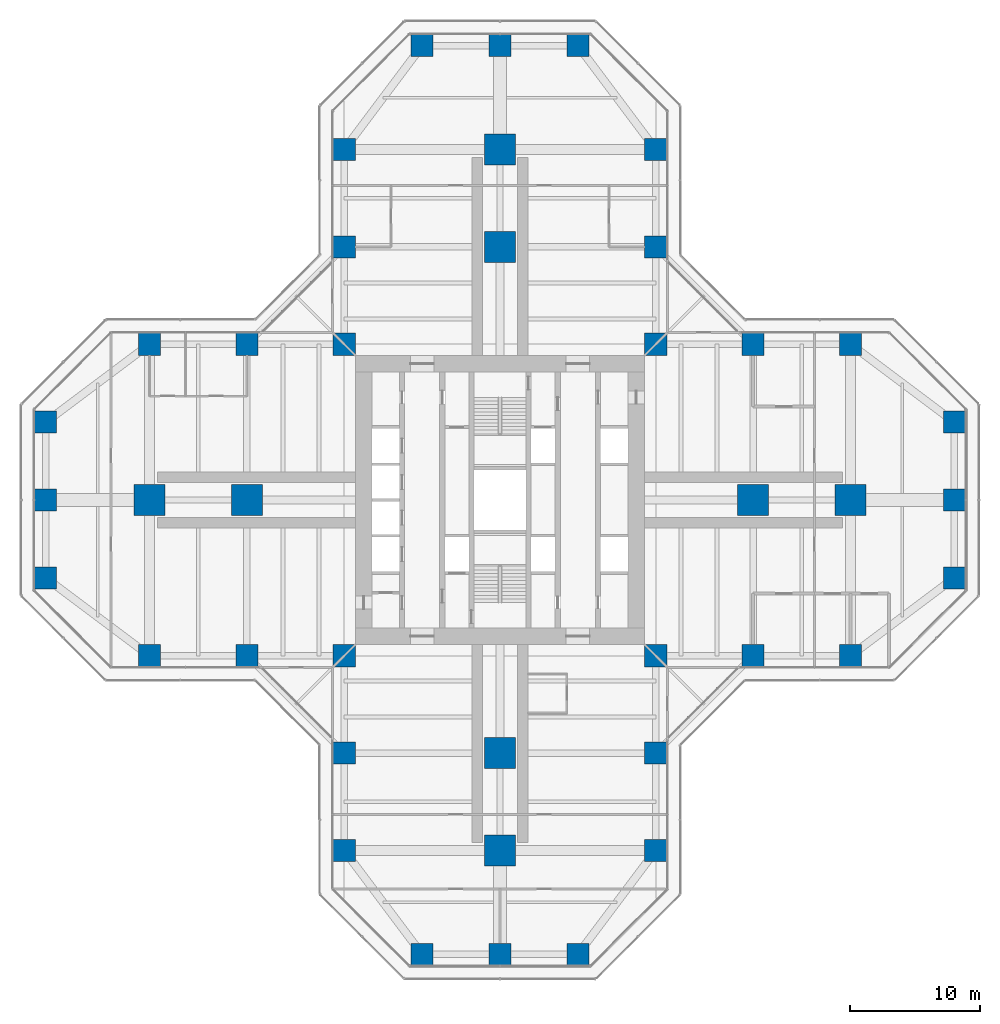
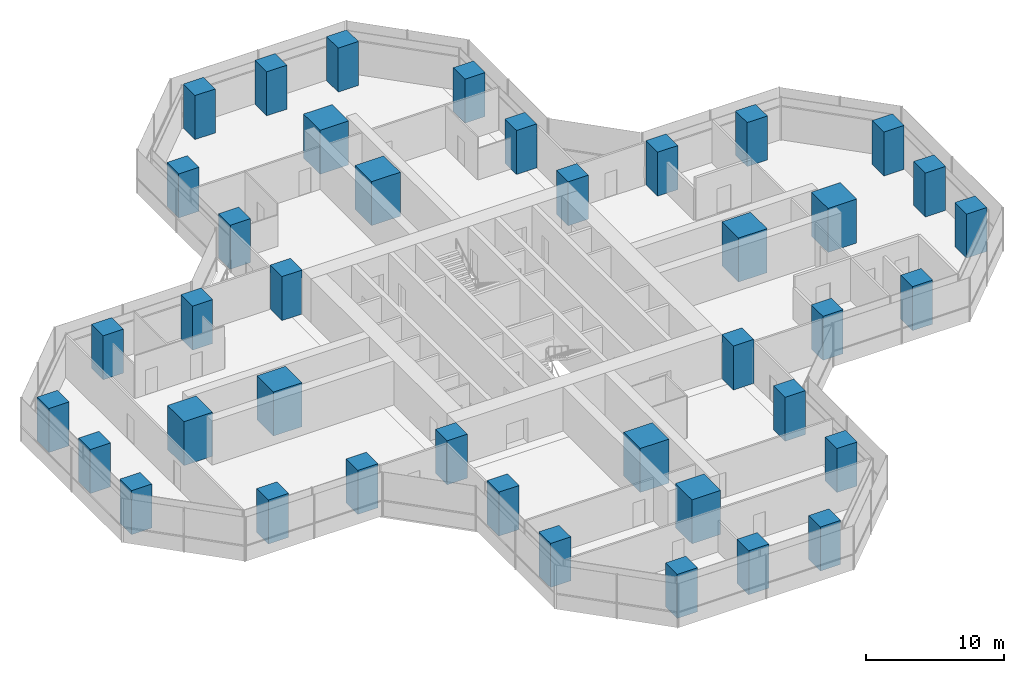
# One storey, part 1 of 22: 40 columns.
"""IFC4 building model written with IfcOpenShell, lengths in metres."""

from ifc_helpers import new_model, si_unit, direction, frame, origin, origin_2d, place, context, subcontext, project, spatial, rectangle, extrude, material, material_profile, profile_set, type_object, element, save


model = new_model("IFC4")

# Units and contexts
model_context = context("Model", 3, precision=1e-05, world=origin(), true_north=direction((0.0, 1.0)))
body_context = subcontext(model_context, "Body", "Model", "MODEL_VIEW")
ifc_project = project(units=[si_unit("LENGTHUNIT", "METRE"), si_unit("AREAUNIT", "SQUARE_METRE"), si_unit("VOLUMEUNIT", "CUBIC_METRE"), si_unit("PLANEANGLEUNIT", "RADIAN"), si_unit("MASSUNIT", "GRAM", prefix="KILO")], contexts=[model_context])

# Site, building, storey
site_placement = place(None, origin())
site = spatial("IfcSite", under=ifc_project, at=site_placement, CompositionType="ELEMENT")
building_placement = place(site_placement, origin())
building = spatial("IfcBuilding", under=site, at=building_placement, Name="Mizan Broadcast Tower", CompositionType="ELEMENT")
storey_placement = place(building_placement, frame((0.0, 0.0, 86.39990234375)))
storey = spatial("IfcBuildingStorey", under=building, at=storey_placement, Name="L18", CompositionType="ELEMENT", Elevation=86.39990234375)

# Columns
ifc_material_1 = material(Name="Concrete C70/85", Category="concrete")
ifc_material_profile_1 = material_profile(ifc_material_1, rectangle(XDim=1.699951171875, YDim=1.699951171875, at=origin_2d()), Name="RC 1700x1700")
ifc_profile_set_1 = profile_set([ifc_material_profile_1], Name="Concrete C70/85")
column_type_1 = type_object("IfcColumnType", Name="RC COLUMN 1700x1700 C70/85", PredefinedType="COLUMN", material=ifc_profile_set_1)
for number, where, z_axis, x_axis, name in (
    (1, (-6.0, -35.0, 0.0), (0.0, 0.0, 1.0), (1.0, 0.0, 0.0), "Column 5/A L18"),
    (2, (0.0, -35.0, 0.0), (0.0, 0.0, 1.0), (1.0, 0.0, 0.0), "Column 6/A L18"),
    (3, (6.0, -35.0, 0.0), (0.0, 0.0, 1.0), (1.0, 0.0, 0.0), "Column 7/A L18"),
    (4, (-12.0, -27.0, 0.0), (0.0, 0.0, 1.0), (1.0, 0.0, 0.0), "Column 4/B L18"),
    (5, (12.0, -27.0, 0.0), (0.0, 0.0, 1.0), (1.0, 0.0, 0.0), "Column 8/B L18"),
    (6, (-12.0, -19.5, 0.0), (0.0, 0.0, 1.0), (1.0, 0.0, 0.0), "Column 4/C L18"),
    (7, (12.0, -19.5, 0.0), (0.0, 0.0, 1.0), (1.0, 0.0, 0.0), "Column 8/C L18"),
    (8, (-27.0, -12.0, 0.0), (0.0, 0.0, 1.0), (1.0, 0.0, 0.0), "Column 2/D L18"),
    (9, (-19.5, -12.0, 0.0), (0.0, 0.0, 1.0), (1.0, 0.0, 0.0), "Column 3/D L18"),
    (10, (-12.0, -12.0, 0.0), (0.0, 0.0, 1.0), (1.0, 0.0, 0.0), "Column 4/D L18"),
    (11, (12.0, -12.0, 0.0), (0.0, 0.0, 1.0), (1.0, 0.0, 0.0), "Column 8/D L18"),
    (12, (19.5, -12.0, 0.0), (0.0, 0.0, 1.0), (1.0, 0.0, 0.0), "Column 9/D L18"),
    (13, (27.0, -12.0, 0.0), (0.0, 0.0, 1.0), (1.0, 0.0, 0.0), "Column 10/D L18"),
    (14, (-35.0, -6.0, 0.0), (0.0, 0.0, 1.0), (1.0, 0.0, 0.0), "Column 1/E L18"),
    (15, (35.0, -6.0, 0.0), (0.0, 0.0, 1.0), (1.0, 0.0, 0.0), "Column 11/E L18"),
    (16, (-35.0, 0.0, 0.0), (0.0, 0.0, 1.0), (1.0, 0.0, 0.0), "Column 1/F L18"),
    (17, (35.0, 0.0, 0.0), (0.0, 0.0, 1.0), (1.0, 0.0, 0.0), "Column 11/F L18"),
    (18, (-35.0, 6.0, 0.0), (0.0, 0.0, 1.0), (1.0, 0.0, 0.0), "Column 1/G L18"),
    (19, (35.0, 6.0, 0.0), (0.0, 0.0, 1.0), (1.0, 0.0, 0.0), "Column 11/G L18"),
    (20, (-27.0, 12.0, 0.0), (0.0, 0.0, 1.0), (1.0, 0.0, 0.0), "Column 2/H L18"),
    (21, (-19.5, 12.0, 0.0), (0.0, 0.0, 1.0), (1.0, 0.0, 0.0), "Column 3/H L18"),
    (22, (-12.0, 12.0, 0.0), (0.0, 0.0, 1.0), (1.0, 0.0, 0.0), "Column 4/H L18"),
    (23, (12.0, 12.0, 0.0), (0.0, 0.0, 1.0), (1.0, 0.0, 0.0), "Column 8/H L18"),
    (24, (19.5, 12.0, 0.0), (0.0, 0.0, 1.0), (1.0, 0.0, 0.0), "Column 9/H L18"),
    (25, (27.0, 12.0, 0.0), (0.0, 0.0, 1.0), (1.0, 0.0, 0.0), "Column 10/H L18"),
    (26, (-12.0, 19.5, 0.0), (0.0, 0.0, 1.0), (1.0, 0.0, 0.0), "Column 4/J L18"),
    (27, (12.0, 19.5, 0.0), (0.0, 0.0, 1.0), (1.0, 0.0, 0.0), "Column 8/J L18"),
    (28, (-12.0, 27.0, 0.0), (0.0, 0.0, 1.0), (1.0, 0.0, 0.0), "Column 4/K L18"),
    (29, (12.0, 27.0, 0.0), (0.0, 0.0, 1.0), (1.0, 0.0, 0.0), "Column 8/K L18"),
    (30, (-6.0, 35.0, 0.0), (0.0, 0.0, 1.0), (1.0, 0.0, 0.0), "Column 5/L L18"),
    (31, (0.0, 35.0, 0.0), (0.0, 0.0, 1.0), (1.0, 0.0, 0.0), "Column 6/L L18"),
    (32, (6.0, 35.0, 0.0), (0.0, 0.0, 1.0), (1.0, 0.0, 0.0), "Column 7/L L18"),
):
    element("IfcColumn", number, at=place(storey_placement, frame(where, z_axis=z_axis, x_axis=x_axis)), inside=storey, type_object=column_type_1, Name=name, PredefinedType="COLUMN", context=body_context, shape_type="SweptSolid", body=[
        extrude(rectangle(XDim=1.699951171875, YDim=1.699951171875, at=origin_2d()), origin(), (0.0, 0.0, 1.0), 3.900146484375),
    ])
ifc_material_2 = material(Name="Concrete C70/85", Category="concrete")
ifc_material_profile_2 = material_profile(ifc_material_2, rectangle(XDim=2.39990234375, YDim=2.39990234375, at=origin_2d()), Name="RC 2400x2400")
ifc_profile_set_2 = profile_set([ifc_material_profile_2], Name="Concrete C70/85")
column_type_2 = type_object("IfcColumnType", Name="RC COLUMN 2400x2400 C70/85", PredefinedType="COLUMN", material=ifc_profile_set_2)
for number, where, z_axis, x_axis, name in (
    (33, (0.0, -27.0, 0.0), (0.0, 0.0, 1.0), (1.0, 0.0, 0.0), "Column 6/B L18"),
    (34, (0.0, -19.5, 0.0), (0.0, 0.0, 1.0), (1.0, 0.0, 0.0), "Column 6/C L18"),
    (35, (-27.0, 0.0, 0.0), (0.0, 0.0, 1.0), (1.0, 0.0, 0.0), "Column 2/F L18"),
    (36, (-19.5, 0.0, 0.0), (0.0, 0.0, 1.0), (1.0, 0.0, 0.0), "Column 3/F L18"),
    (37, (19.5, 0.0, 0.0), (0.0, 0.0, 1.0), (1.0, 0.0, 0.0), "Column 9/F L18"),
    (38, (27.0, 0.0, 0.0), (0.0, 0.0, 1.0), (1.0, 0.0, 0.0), "Column 10/F L18"),
    (39, (0.0, 19.5, 0.0), (0.0, 0.0, 1.0), (1.0, 0.0, 0.0), "Column 6/J L18"),
    (40, (0.0, 27.0, 0.0), (0.0, 0.0, 1.0), (1.0, 0.0, 0.0), "Column 6/K L18"),
):
    element("IfcColumn", number, at=place(storey_placement, frame(where, z_axis=z_axis, x_axis=x_axis)), inside=storey, type_object=column_type_2, Name=name, PredefinedType="COLUMN", context=body_context, shape_type="SweptSolid", body=[
        extrude(rectangle(XDim=2.39990234375, YDim=2.39990234375, at=origin_2d()), origin(), (0.0, 0.0, 1.0), 3.900146484375),
    ])

save(model, "model.ifc")
